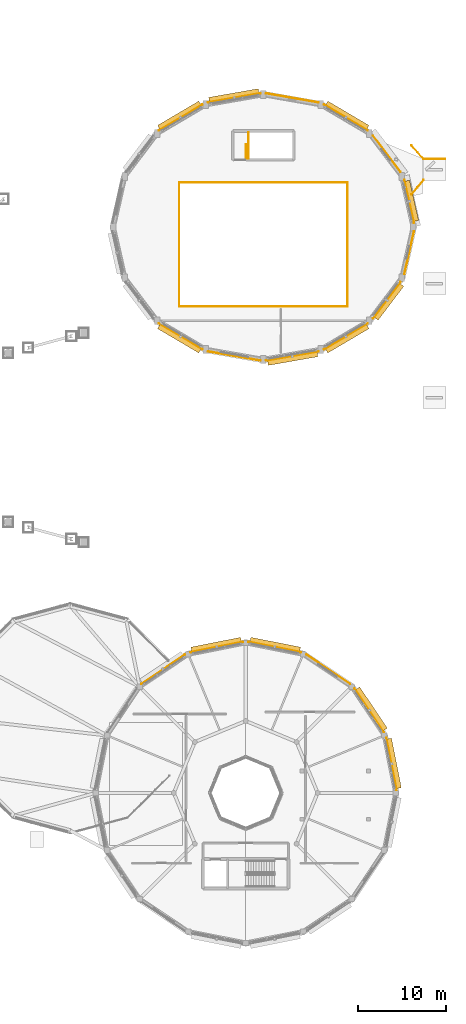
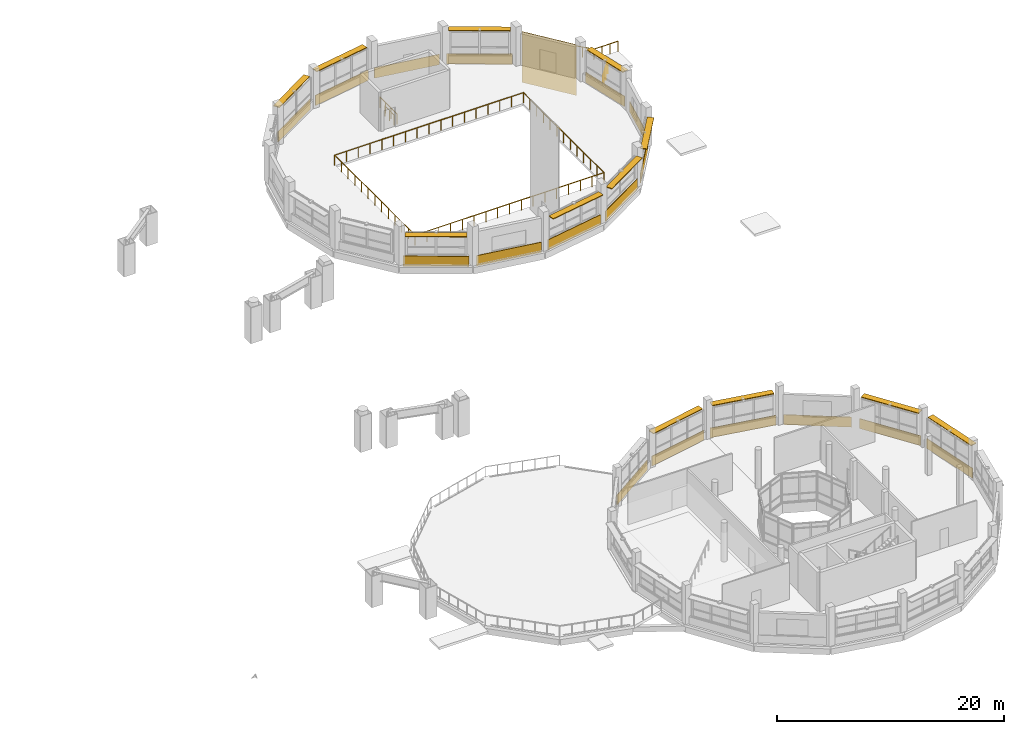
# One storey, part 128 of 128: 18 coverings, 12 shading devices, 8 railings.
"""IFC4 building model written with IfcOpenShell, lengths in metres."""

from ifc_helpers import new_model, si_unit, direction, frame, frame_2d, origin, origin_2d, place, context, subcontext, project, spatial, rectangle, circle, extrude, material, layer, layer_set, type_object, element, save


model = new_model("IFC4")

# Units and contexts
model_context = context("Model", 3, precision=1e-05, world=origin(), true_north=direction((0.0, 1.0)))
body_context = subcontext(model_context, "Body", "Model", "MODEL_VIEW")
ifc_project = project(units=[si_unit("LENGTHUNIT", "METRE"), si_unit("AREAUNIT", "SQUARE_METRE"), si_unit("VOLUMEUNIT", "CUBIC_METRE"), si_unit("PLANEANGLEUNIT", "RADIAN"), si_unit("MASSUNIT", "GRAM", prefix="KILO")], contexts=[model_context])

# Site, building, storey
site_placement = place(None, origin())
site = spatial("IfcSite", under=ifc_project, at=site_placement, CompositionType="ELEMENT")
building_placement = place(site_placement, origin())
building = spatial("IfcBuilding", under=site, at=building_placement, Name="Vespera Passage Community Centre", CompositionType="ELEMENT")
storey_placement = place(building_placement, frame((0.0, 0.0, 4.5)))
storey = spatial("IfcBuildingStorey", under=building, at=storey_placement, Name="L01", CompositionType="ELEMENT", Elevation=4.5)

# Coverings
ifc_material_1 = material(Name="Precast concrete f'c 40 MPa", Category="concrete")
ifc_layer = layer(ifc_material_1, 0.06005859375)
ifc_layer_set = layer_set([ifc_layer], Name="Precast concrete f'c 40 MPa")
covering_type = type_object("IfcCoveringType", Name="COV-CLAD-60E", PredefinedType="CLADDING", material=ifc_layer_set)
covering_1_placement = place(storey_placement, frame((159.07958984375, 94.894775390625, -0.260009765625), z_axis=(0.0, 0.0, 1.0), x_axis=(0.219734171438, -0.975559784894, 0.0)))
element("IfcCovering", 1, at=covering_1_placement, inside=storey, type_object=covering_type, Name="V2 L01 White Spandrel Band 1", PredefinedType="CLADDING", context=body_context, shape_type="SweptSolid", body=[
    extrude(rectangle(XDim=5.051025390625, YDim=0.06005859375, at=frame_2d((2.525390625, 0.0))), origin(), (0.0, 0.0, 1.0), 1.110107421875),
])
covering_2_placement = place(storey_placement, frame((155.52783203125, 99.915283203125, -2.050048828125), z_axis=(0.0, 0.0, 1.0), x_axis=(0.603398282319, -0.797439974477, 0.0)))
element("IfcCovering", 2, at=covering_2_placement, inside=storey, type_object=covering_type, Name="V2 L01 Bridge Portal White Band", PredefinedType="CLADDING", context=body_context, shape_type="SweptSolid", body=[
    extrude(rectangle(XDim=5.19873046875, YDim=0.06005859375, at=frame_2d((2.599365234375, 0.0))), origin(), (0.0, 0.0, 1.0), 5.43505859375),
])
covering_3_placement = place(storey_placement, frame((149.9189453125, 103.449951171875, -0.260009765625), z_axis=(0.0, 0.0, 1.0), x_axis=(0.861246761334, -0.508186989297, 0.0)))
element("IfcCovering", 3, at=covering_3_placement, inside=storey, type_object=covering_type, Name="V2 L01 White Spandrel Band 3", PredefinedType="CLADDING", context=body_context, shape_type="SweptSolid", body=[
    extrude(rectangle(XDim=5.794677734375, YDim=0.06005859375, at=frame_2d((2.8974609375, 0.0))), origin(), (0.0, 0.0, 1.0), 1.110107421875),
])
for number, where, z_axis, x_axis, name in (
    (4, (143.308349609375, 104.73876953125, -0.260009765625), (0.0, 0.0, 1.0), (0.984920582468, -0.173007069888, 0.0), "V2 L01 White Sill Band 4"),
    (5, (136.698486328125, 103.68603515625, -0.260009765625), (0.0, 0.0, 1.0), (0.984920582468, 0.173007069888, 0.0), "V2 L01 White Spandrel Band 5"),
):
    element("IfcCovering", number, at=place(storey_placement, frame(where, z_axis=z_axis, x_axis=x_axis)), inside=storey, type_object=covering_type, Name=name, PredefinedType="CLADDING", context=body_context, shape_type="SweptSolid", body=[
        extrude(rectangle(XDim=6.0849609375, YDim=0.06005859375, at=frame_2d((3.04248046875, 0.0))), origin(), (0.0, 0.0, 1.0), 1.110107421875),
    ])
for number, where, z_axis, x_axis, name in (
    (6, (131.09033203125, 100.505126953125, -0.260009765625), (0.0, 0.0, 1.0), (0.861246761334, 0.508186989297, 0.0), "V2 L01 White Spandrel Band 6"),
    (7, (136.0810546875, 75.550048828125, -0.260009765625), (0.0, 0.0, 1.0), (-0.861246761334, 0.508186989297, 0.0), "V2 L01 White Spandrel Band 11"),
):
    element("IfcCovering", number, at=place(storey_placement, frame(where, z_axis=z_axis, x_axis=x_axis)), inside=storey, type_object=covering_type, Name=name, PredefinedType="CLADDING", context=body_context, shape_type="SweptSolid", body=[
        extrude(rectangle(XDim=5.794677734375, YDim=0.06005859375, at=frame_2d((2.8974609375, 0.0))), origin(), (0.0, 0.0, 1.0), 1.110107421875),
    ])
for number, where, z_axis, x_axis, name in (
    (8, (142.691650390625, 74.26123046875, -0.260009765625), (0.0, 0.0, 1.0), (-0.984920582468, 0.173007069888, 0.0), "V2 L01 White Sill Band 12"),
    (9, (149.301513671875, 75.31396484375, -0.260009765625), (0.0, 0.0, 1.0), (-0.984920582468, -0.173007069888, 0.0), "V2 L01 White Spandrel Band 13"),
):
    element("IfcCovering", number, at=place(storey_placement, frame(where, z_axis=z_axis, x_axis=x_axis)), inside=storey, type_object=covering_type, Name=name, PredefinedType="CLADDING", context=body_context, shape_type="SweptSolid", body=[
        extrude(rectangle(XDim=6.0849609375, YDim=0.06005859375, at=frame_2d((3.04248046875, 0.0))), origin(), (0.0, 0.0, 1.0), 1.110107421875),
    ])
covering_4_placement = place(storey_placement, frame((154.90966796875, 78.494873046875, -0.260009765625), z_axis=(0.0, 0.0, 1.0), x_axis=(-0.861246761334, -0.508186989297, 0.0)))
element("IfcCovering", 10, at=covering_4_placement, inside=storey, type_object=covering_type, Name="V2 L01 White Spandrel Band 14", PredefinedType="CLADDING", context=body_context, shape_type="SweptSolid", body=[
    extrude(rectangle(XDim=5.794677734375, YDim=0.06005859375, at=frame_2d((2.8974609375, 0.0))), origin(), (0.0, 0.0, 1.0), 1.110107421875),
])
covering_5_placement = place(storey_placement, frame((158.664794921875, 83.23046875, -0.260009765625), z_axis=(0.0, 0.0, 1.0), x_axis=(-0.603398282319, -0.797439974477, 0.0)))
element("IfcCovering", 11, at=covering_5_placement, inside=storey, type_object=covering_type, Name="V2 L01 White Spandrel Band 15", PredefinedType="CLADDING", context=body_context, shape_type="SweptSolid", body=[
    extrude(rectangle(XDim=5.19873046875, YDim=0.06005859375, at=frame_2d((2.599365234375, 0.0))), origin(), (0.0, 0.0, 1.0), 1.110107421875),
])
covering_6_placement = place(storey_placement, frame((160.189453125, 89.03271484375, -0.260009765625), z_axis=(0.0, 0.0, 1.0), x_axis=(-0.219734171438, -0.975559784894, 0.0)))
element("IfcCovering", 12, at=covering_6_placement, inside=storey, type_object=covering_type, Name="V2 L01 White Sill Band 16", PredefinedType="CLADDING", context=body_context, shape_type="SweptSolid", body=[
    extrude(rectangle(XDim=5.051025390625, YDim=0.06005859375, at=frame_2d((2.525390625, 0.0))), origin(), (0.0, 0.0, 1.0), 1.110107421875),
])
covering_7_placement = place(storey_placement, frame((157.019775390625, 31.301513671875, -0.260009765625), z_axis=(0.0, 0.0, 1.0), x_axis=(0.195101780047, -0.98078300119, 0.0)))
element("IfcCovering", 13, at=covering_7_placement, inside=storey, type_object=covering_type, Name="V3 L01 White Spandrel Band 1", PredefinedType="CLADDING", context=body_context, shape_type="SweptSolid", body=[
    extrude(rectangle(XDim=6.1103515625, YDim=0.06005859375, at=frame_2d((3.05517578125, 0.0))), origin(), (0.0, 0.0, 1.0), 1.06005859375),
])
covering_8_placement = place(storey_placement, frame((153.41943359375, 36.90673828125, -0.260009765625), z_axis=(0.0, 0.0, 1.0), x_axis=(0.555573083966, -0.831467707354, 0.0)))
element("IfcCovering", 14, at=covering_8_placement, inside=storey, type_object=covering_type, Name="V3 L01 White Spandrel Band 2", PredefinedType="CLADDING", context=body_context, shape_type="SweptSolid", body=[
    extrude(rectangle(XDim=6.00048828125, YDim=0.06005859375, at=frame_2d((3.000244140625, 0.0))), origin(), (0.0, 0.0, 1.0), 1.06005859375),
])
covering_9_placement = place(storey_placement, frame((147.91748046875, 40.753173828125, -0.260009765625), z_axis=(0.0, 0.0, 1.0), x_axis=(0.831467707354, -0.555573083966, 0.0)))
element("IfcCovering", 15, at=covering_9_placement, inside=storey, type_object=covering_type, Name="V3 L01 White Sill Band 3", PredefinedType="CLADDING", context=body_context, shape_type="SweptSolid", body=[
    extrude(rectangle(XDim=6.00048828125, YDim=0.06005859375, at=frame_2d((3.000244140625, 0.0))), origin(), (0.0, 0.0, 1.0), 1.080078125),
])
for number, where, z_axis, x_axis, name in (
    (16, (141.30859375, 42.2119140625, -0.260009765625), (0.0, 0.0, 1.0), (0.98078300119, -0.195101780047, 0.0), "V3 L01 White Spandrel Band 4"),
    (17, (134.698486328125, 41.019775390625, -0.260009765625), (0.0, 0.0, 1.0), (0.98078300119, 0.195101780047, 0.0), "V3 L01 White Spandrel Band 5"),
):
    element("IfcCovering", number, at=place(storey_placement, frame(where, z_axis=z_axis, x_axis=x_axis)), inside=storey, type_object=covering_type, Name=name, PredefinedType="CLADDING", context=body_context, shape_type="SweptSolid", body=[
        extrude(rectangle(XDim=6.1103515625, YDim=0.06005859375, at=frame_2d((3.05517578125, 0.0))), origin(), (0.0, 0.0, 1.0), 1.06005859375),
    ])
covering_10_placement = place(storey_placement, frame((129.09326171875, 37.41943359375, -0.260009765625), z_axis=(0.0, 0.0, 1.0), x_axis=(0.831467707354, 0.555573083966, 0.0)))
element("IfcCovering", 18, at=covering_10_placement, inside=storey, type_object=covering_type, Name="V3 L01 White Spandrel Band 6", PredefinedType="CLADDING", context=body_context, shape_type="SweptSolid", body=[
    extrude(rectangle(XDim=6.00048828125, YDim=0.06005859375, at=frame_2d((3.000244140625, 0.0))), origin(), (0.0, 0.0, 1.0), 1.06005859375),
])

# Railings
ifc_material_2 = material(Name="Steel ASTM A500 Grade C", Category="steel")
railing_type_1 = type_object("IfcRailingType", Name="RL-BAL-1100I", PredefinedType="BALUSTRADE", material=ifc_material_2)
railing_1_placement = place(storey_placement, frame((133.419921875, 80.419921875, 0.0)))
element("IfcRailing", 19, at=railing_1_placement, inside=storey, type_object=railing_type_1, Name="Sports Hall L01 S Gallery Balustrade", PredefinedType="BALUSTRADE", context=body_context, shape_type="SweptSolid", body=[
    extrude(circle(Radius=0.02392578125, at=origin_2d()), frame((0.0, 0.0, 1.09619140625), z_axis=(1.0, 0.0, 0.0), x_axis=(0.0, 1.0, 0.0)), (0.0, 0.0, 1.0), 19.16015625),
    extrude(circle(Radius=0.02099609375, at=origin_2d()), origin(), (0.0, 0.0, 1.0), 1.072021484375),
    extrude(circle(Radius=0.02099609375, at=origin_2d()), frame((1.197509765625, 0.0, 0.0)), (0.0, 0.0, 1.0), 1.072021484375),
    extrude(circle(Radius=0.02099609375, at=origin_2d()), frame((2.39501953125, 0.0, 0.0)), (0.0, 0.0, 1.0), 1.072021484375),
    extrude(circle(Radius=0.02099609375, at=origin_2d()), frame((3.592529296875, 0.0, 0.0)), (0.0, 0.0, 1.0), 1.072021484375),
    extrude(circle(Radius=0.02099609375, at=origin_2d()), frame((4.7900390625, 0.0, 0.0)), (0.0, 0.0, 1.0), 1.072021484375),
    extrude(circle(Radius=0.02099609375, at=origin_2d()), frame((5.987548828125, 0.0, 0.0)), (0.0, 0.0, 1.0), 1.072021484375),
    extrude(circle(Radius=0.02099609375, at=origin_2d()), frame((7.18505859375, 0.0, 0.0)), (0.0, 0.0, 1.0), 1.072021484375),
    extrude(circle(Radius=0.02099609375, at=origin_2d()), frame((8.382568359375, 0.0, 0.0)), (0.0, 0.0, 1.0), 1.072021484375),
    extrude(circle(Radius=0.02099609375, at=origin_2d()), frame((9.580078125, 0.0, 0.0)), (0.0, 0.0, 1.0), 1.072021484375),
    extrude(circle(Radius=0.02099609375, at=origin_2d()), frame((10.777587890625, 0.0, 0.0)), (0.0, 0.0, 1.0), 1.072021484375),
    extrude(circle(Radius=0.02099609375, at=origin_2d()), frame((11.97509765625, 0.0, 0.0)), (0.0, 0.0, 1.0), 1.072021484375),
    extrude(circle(Radius=0.02099609375, at=origin_2d()), frame((13.172607421875, 0.0, 0.0)), (0.0, 0.0, 1.0), 1.072021484375),
    extrude(circle(Radius=0.02099609375, at=origin_2d()), frame((14.3701171875, 0.0, 0.0)), (0.0, 0.0, 1.0), 1.072021484375),
    extrude(circle(Radius=0.02099609375, at=origin_2d()), frame((15.567626953125, 0.0, 0.0)), (0.0, 0.0, 1.0), 1.072021484375),
    extrude(circle(Radius=0.02099609375, at=origin_2d()), frame((16.76513671875, 0.0, 0.0)), (0.0, 0.0, 1.0), 1.072021484375),
    extrude(circle(Radius=0.02099609375, at=origin_2d()), frame((17.962646484375, 0.0, 0.0)), (0.0, 0.0, 1.0), 1.072021484375),
    extrude(circle(Radius=0.02099609375, at=origin_2d()), frame((19.16015625, 0.0, 0.0)), (0.0, 0.0, 1.0), 1.072021484375),
])
railing_2_placement = place(storey_placement, frame((152.580078125, 80.419921875, 0.0)))
element("IfcRailing", 20, at=railing_2_placement, inside=storey, type_object=railing_type_1, Name="Sports Hall L01 E Gallery Balustrade", PredefinedType="BALUSTRADE", context=body_context, shape_type="SweptSolid", body=[
    extrude(circle(Radius=0.02392578125, at=origin_2d()), frame((0.0, 0.0, 1.09619140625), z_axis=(0.0, 1.0, 0.0), x_axis=(-1.0, 0.0, 0.0)), (0.0, 0.0, 1.0), 14.16015625),
    extrude(circle(Radius=0.02099609375, at=origin_2d()), origin(), (0.0, 0.0, 1.0), 1.072021484375),
    extrude(circle(Radius=0.02099609375, at=origin_2d()), frame((0.0, 1.179931640625, 0.0)), (0.0, 0.0, 1.0), 1.072021484375),
    extrude(circle(Radius=0.02099609375, at=origin_2d()), frame((0.0, 2.360107421875, 0.0)), (0.0, 0.0, 1.0), 1.072021484375),
    extrude(circle(Radius=0.02099609375, at=origin_2d()), frame((0.0, 3.5400390625, 0.0)), (0.0, 0.0, 1.0), 1.072021484375),
    extrude(circle(Radius=0.02099609375, at=origin_2d()), frame((0.0, 4.719970703125, 0.0)), (0.0, 0.0, 1.0), 1.072021484375),
    extrude(circle(Radius=0.02099609375, at=origin_2d()), frame((0.0, 5.900146484375, 0.0)), (0.0, 0.0, 1.0), 1.072021484375),
    extrude(circle(Radius=0.02099609375, at=origin_2d()), frame((0.0, 7.080078125, 0.0)), (0.0, 0.0, 1.0), 1.072021484375),
    extrude(circle(Radius=0.02099609375, at=origin_2d()), frame((0.0, 8.260009765625, 0.0)), (0.0, 0.0, 1.0), 1.072021484375),
    extrude(circle(Radius=0.02099609375, at=origin_2d()), frame((0.0, 9.440185546875, 0.0)), (0.0, 0.0, 1.0), 1.072021484375),
    extrude(circle(Radius=0.02099609375, at=origin_2d()), frame((0.0, 10.6201171875, 0.0)), (0.0, 0.0, 1.0), 1.072021484375),
    extrude(circle(Radius=0.02099609375, at=origin_2d()), frame((0.0, 11.800048828125, 0.0)), (0.0, 0.0, 1.0), 1.072021484375),
    extrude(circle(Radius=0.02099609375, at=origin_2d()), frame((0.0, 12.980224609375, 0.0)), (0.0, 0.0, 1.0), 1.072021484375),
    extrude(circle(Radius=0.02099609375, at=origin_2d()), frame((0.0, 14.16015625, 0.0)), (0.0, 0.0, 1.0), 1.072021484375),
])
railing_3_placement = place(storey_placement, frame((152.580078125, 94.580078125, 0.0)))
element("IfcRailing", 21, at=railing_3_placement, inside=storey, type_object=railing_type_1, Name="Sports Hall L01 N Gallery Balustrade", PredefinedType="BALUSTRADE", context=body_context, shape_type="SweptSolid", body=[
    extrude(circle(Radius=0.02392578125, at=origin_2d()), frame((0.0, 0.0, 1.09619140625), z_axis=(-1.0, 0.0, 0.0), x_axis=(0.0, -1.0, 0.0)), (0.0, 0.0, 1.0), 19.16015625),
    extrude(circle(Radius=0.02099609375, at=origin_2d()), origin(), (0.0, 0.0, 1.0), 1.072021484375),
    extrude(circle(Radius=0.02099609375, at=origin_2d()), frame((-1.197509765625, 0.0, 0.0)), (0.0, 0.0, 1.0), 1.072021484375),
    extrude(circle(Radius=0.02099609375, at=origin_2d()), frame((-2.39501953125, 0.0, 0.0)), (0.0, 0.0, 1.0), 1.072021484375),
    extrude(circle(Radius=0.02099609375, at=origin_2d()), frame((-3.592529296875, 0.0, 0.0)), (0.0, 0.0, 1.0), 1.072021484375),
    extrude(circle(Radius=0.02099609375, at=origin_2d()), frame((-4.7900390625, 0.0, 0.0)), (0.0, 0.0, 1.0), 1.072021484375),
    extrude(circle(Radius=0.02099609375, at=origin_2d()), frame((-5.987548828125, 0.0, 0.0)), (0.0, 0.0, 1.0), 1.072021484375),
    extrude(circle(Radius=0.02099609375, at=origin_2d()), frame((-7.18505859375, 0.0, 0.0)), (0.0, 0.0, 1.0), 1.072021484375),
    extrude(circle(Radius=0.02099609375, at=origin_2d()), frame((-8.382568359375, 0.0, 0.0)), (0.0, 0.0, 1.0), 1.072021484375),
    extrude(circle(Radius=0.02099609375, at=origin_2d()), frame((-9.580078125, 0.0, 0.0)), (0.0, 0.0, 1.0), 1.072021484375),
    extrude(circle(Radius=0.02099609375, at=origin_2d()), frame((-10.777587890625, 0.0, 0.0)), (0.0, 0.0, 1.0), 1.072021484375),
    extrude(circle(Radius=0.02099609375, at=origin_2d()), frame((-11.97509765625, 0.0, 0.0)), (0.0, 0.0, 1.0), 1.072021484375),
    extrude(circle(Radius=0.02099609375, at=origin_2d()), frame((-13.172607421875, 0.0, 0.0)), (0.0, 0.0, 1.0), 1.072021484375),
    extrude(circle(Radius=0.02099609375, at=origin_2d()), frame((-14.3701171875, 0.0, 0.0)), (0.0, 0.0, 1.0), 1.072021484375),
    extrude(circle(Radius=0.02099609375, at=origin_2d()), frame((-15.567626953125, 0.0, 0.0)), (0.0, 0.0, 1.0), 1.072021484375),
    extrude(circle(Radius=0.02099609375, at=origin_2d()), frame((-16.76513671875, 0.0, 0.0)), (0.0, 0.0, 1.0), 1.072021484375),
    extrude(circle(Radius=0.02099609375, at=origin_2d()), frame((-17.962646484375, 0.0, 0.0)), (0.0, 0.0, 1.0), 1.072021484375),
    extrude(circle(Radius=0.02099609375, at=origin_2d()), frame((-19.16015625, 0.0, 0.0)), (0.0, 0.0, 1.0), 1.072021484375),
])
railing_4_placement = place(storey_placement, frame((133.419921875, 94.580078125, 0.0)))
element("IfcRailing", 22, at=railing_4_placement, inside=storey, type_object=railing_type_1, Name="Sports Hall L01 W Gallery Balustrade", PredefinedType="BALUSTRADE", context=body_context, shape_type="SweptSolid", body=[
    extrude(circle(Radius=0.02392578125, at=origin_2d()), frame((0.0, 0.0, 1.09619140625), z_axis=(0.0, -1.0, 0.0), x_axis=(1.0, 0.0, 0.0)), (0.0, 0.0, 1.0), 14.16015625),
    extrude(circle(Radius=0.02099609375, at=origin_2d()), origin(), (0.0, 0.0, 1.0), 1.072021484375),
    extrude(circle(Radius=0.02099609375, at=origin_2d()), frame((0.0, -1.179931640625, 0.0)), (0.0, 0.0, 1.0), 1.072021484375),
    extrude(circle(Radius=0.02099609375, at=origin_2d()), frame((0.0, -2.360107421875, 0.0)), (0.0, 0.0, 1.0), 1.072021484375),
    extrude(circle(Radius=0.02099609375, at=origin_2d()), frame((0.0, -3.5400390625, 0.0)), (0.0, 0.0, 1.0), 1.072021484375),
    extrude(circle(Radius=0.02099609375, at=origin_2d()), frame((0.0, -4.719970703125, 0.0)), (0.0, 0.0, 1.0), 1.072021484375),
    extrude(circle(Radius=0.02099609375, at=origin_2d()), frame((0.0, -5.900146484375, 0.0)), (0.0, 0.0, 1.0), 1.072021484375),
    extrude(circle(Radius=0.02099609375, at=origin_2d()), frame((0.0, -7.080078125, 0.0)), (0.0, 0.0, 1.0), 1.072021484375),
    extrude(circle(Radius=0.02099609375, at=origin_2d()), frame((0.0, -8.260009765625, 0.0)), (0.0, 0.0, 1.0), 1.072021484375),
    extrude(circle(Radius=0.02099609375, at=origin_2d()), frame((0.0, -9.440185546875, 0.0)), (0.0, 0.0, 1.0), 1.072021484375),
    extrude(circle(Radius=0.02099609375, at=origin_2d()), frame((0.0, -10.6201171875, 0.0)), (0.0, 0.0, 1.0), 1.072021484375),
    extrude(circle(Radius=0.02099609375, at=origin_2d()), frame((0.0, -11.800048828125, 0.0)), (0.0, 0.0, 1.0), 1.072021484375),
    extrude(circle(Radius=0.02099609375, at=origin_2d()), frame((0.0, -12.980224609375, 0.0)), (0.0, 0.0, 1.0), 1.072021484375),
    extrude(circle(Radius=0.02099609375, at=origin_2d()), frame((0.0, -14.16015625, 0.0)), (0.0, 0.0, 1.0), 1.072021484375),
])
ifc_material_3 = material(Name="Steel ASTM A500 Grade C", Category="steel")
railing_type_2 = type_object("IfcRailingType", Name="RL-EXT-1100E", PredefinedType="GUARDRAIL", material=ifc_material_3)
railing_5_placement = place(storey_placement, frame((159.89990234375, 98.800048828125, 0.0)))
element("IfcRailing", 23, at=railing_5_placement, inside=storey, type_object=railing_type_2, Name="Ramped Garden Bridge North Link Guard", PredefinedType="GUARDRAIL", context=body_context, shape_type="SweptSolid", body=[
    extrude(circle(Radius=0.02392578125, at=origin_2d()), frame((0.0, 0.0, 1.09619140625), z_axis=(0.664984229828, -0.746857398758, 0.0), x_axis=(0.746857398758, 0.664984229828, 0.0)), (0.0, 0.0, 1.0), 2.075439453125),
    extrude(circle(Radius=0.02392578125, at=origin_2d()), frame((1.380126953125, -1.550048828125, 1.09619140625), z_axis=(1.0, 0.0, 0.0), x_axis=(0.0, 1.0, 0.0)), (0.0, 0.0, 1.0), 2.43994140625),
    extrude(circle(Radius=0.02099609375, at=origin_2d()), origin(), (0.0, 0.0, 1.0), 1.072021484375),
    extrude(circle(Radius=0.02099609375, at=origin_2d()), frame((0.68994140625, -0.77490234375, 0.0)), (0.0, 0.0, 1.0), 1.072021484375),
    extrude(circle(Radius=0.02099609375, at=origin_2d()), frame((1.380126953125, -1.550048828125, 0.0)), (0.0, 0.0, 1.0), 1.072021484375),
    extrude(circle(Radius=0.02099609375, at=origin_2d()), frame((2.193359375, -1.550048828125, 0.0)), (0.0, 0.0, 1.0), 1.072021484375),
    extrude(circle(Radius=0.02099609375, at=origin_2d()), frame((3.0068359375, -1.550048828125, 0.0)), (0.0, 0.0, 1.0), 1.072021484375),
    extrude(circle(Radius=0.02099609375, at=origin_2d()), frame((3.820068359375, -1.550048828125, 0.0)), (0.0, 0.0, 1.0), 1.072021484375),
])
railing_6_placement = place(storey_placement, frame((159.89990234375, 93.199951171875, 0.0)))
element("IfcRailing", 24, at=railing_6_placement, inside=storey, type_object=railing_type_2, Name="Ramped Garden Bridge South Link Guard", PredefinedType="GUARDRAIL", context=body_context, shape_type="SweptSolid", body=[
    extrude(circle(Radius=0.02392578125, at=origin_2d()), frame((0.0, 0.0, 1.09619140625), z_axis=(0.641556414636, 0.767075854684, 0.0), x_axis=(-0.767075854684, 0.641556414636, 0.0)), (0.0, 0.0, 1.0), 2.151123046875),
    extrude(circle(Radius=0.02099609375, at=origin_2d()), origin(), (0.0, 0.0, 1.0), 1.072021484375),
    extrude(circle(Radius=0.02099609375, at=origin_2d()), frame((0.68994140625, 0.8251953125, 0.0)), (0.0, 0.0, 1.0), 1.072021484375),
    extrude(circle(Radius=0.02099609375, at=origin_2d()), frame((1.380126953125, 1.650146484375, 0.0)), (0.0, 0.0, 1.0), 1.072021484375),
])
ifc_material_4 = material(Name="Steel ASTM A500 Grade C", Category="steel")
railing_type_3 = type_object("IfcRailingType", Name="RL-STAIR-1100I", PredefinedType="GUARDRAIL", material=ifc_material_4)
railing_7_placement = place(storey_placement, frame((141.02490234375, 97.300048828125, 0.0)))
element("IfcRailing", 25, at=railing_7_placement, inside=storey, type_object=railing_type_3, Name="L01 ST07 top well guard 1", PredefinedType="GUARDRAIL", context=body_context, shape_type="SweptSolid", body=[
    extrude(circle(Radius=0.02392578125, at=origin_2d()), frame((0.0, 0.0, 1.09619140625), z_axis=(0.0, 1.0, 0.0), x_axis=(-1.0, 0.0, 0.0)), (0.0, 0.0, 1.0), 1.599853515625),
    extrude(circle(Radius=0.02099609375, at=origin_2d()), origin(), (0.0, 0.0, 1.0), 1.072021484375),
    extrude(circle(Radius=0.02099609375, at=origin_2d()), frame((0.0, 0.7998046875, 0.0)), (0.0, 0.0, 1.0), 1.072021484375),
    extrude(circle(Radius=0.02099609375, at=origin_2d()), frame((0.0, 1.599853515625, 0.0)), (0.0, 0.0, 1.0), 1.072021484375),
])
railing_8_placement = place(storey_placement, frame((141.31494140625, 97.320068359375, 0.0)))
element("IfcRailing", 26, at=railing_8_placement, inside=storey, type_object=railing_type_3, Name="Core C6 L01 Stair Well Guard", PredefinedType="GUARDRAIL", context=body_context, shape_type="SweptSolid", body=[
    extrude(circle(Radius=0.02392578125, at=origin_2d()), frame((0.0, 0.0, 1.09619140625), z_axis=(0.0, 1.0, 0.0), x_axis=(-1.0, 0.0, 0.0)), (0.0, 0.0, 1.0), 2.9599609375),
    extrude(circle(Radius=0.02099609375, at=origin_2d()), origin(), (0.0, 0.0, 1.0), 1.072021484375),
    extrude(circle(Radius=0.02099609375, at=origin_2d()), frame((0.0, 0.986572265625, 0.0)), (0.0, 0.0, 1.0), 1.072021484375),
    extrude(circle(Radius=0.02099609375, at=origin_2d()), frame((0.0, 1.973388671875, 0.0)), (0.0, 0.0, 1.0), 1.072021484375),
    extrude(circle(Radius=0.02099609375, at=origin_2d()), frame((0.0, 2.9599609375, 0.0)), (0.0, 0.0, 1.0), 1.072021484375),
])

# Shading devices
ifc_material_5 = material(Name="Anodized aluminium 6063-T6", Category="aluminium")
shading_device_type = type_object("IfcShadingDeviceType", Name="SHD-EYEBROW", PredefinedType="JALOUSIE", material=ifc_material_5)
shading_device_1_placement = place(storey_placement, frame((159.89794921875, 92.490234375, 3.27490234375), z_axis=(0.0, 0.0, 1.0), x_axis=(0.219744045409, -0.975557560838, 0.0)))
element("IfcShadingDevice", 27, at=shading_device_1_placement, inside=storey, type_object=shading_device_type, Name="V2 L01 Solar Eyebrow 1", PredefinedType="JALOUSIE", context=body_context, shape_type="SweptSolid", body=[
    extrude(rectangle(XDim=4.70068359375, YDim=0.60009765625, at=origin_2d()), origin(), (0.0, 0.0, 1.0), 0.080078125),
])
shading_device_2_placement = place(storey_placement, frame((152.551513671875, 102.210205078125, 3.27490234375), z_axis=(0.0, 0.0, 1.0), x_axis=(0.861248014559, -0.508184865396, 0.0)))
element("IfcShadingDevice", 28, at=shading_device_2_placement, inside=storey, type_object=shading_device_type, Name="V2 L01 Solar Eyebrow 3", PredefinedType="JALOUSIE", context=body_context, shape_type="SweptSolid", body=[
    extrude(rectangle(XDim=5.444580078125, YDim=0.60009765625, at=origin_2d()), origin(), (0.0, 0.0, 1.0), 0.080078125),
])
shading_device_3_placement = place(storey_placement, frame((139.6484375, 104.478515625, 3.27490234375), z_axis=(0.0, 0.0, 1.0), x_axis=(0.984922704244, 0.172994990288, 0.0)))
element("IfcShadingDevice", 29, at=shading_device_3_placement, inside=storey, type_object=shading_device_type, Name="V2 L01 Solar Eyebrow 5", PredefinedType="JALOUSIE", context=body_context, shape_type="SweptSolid", body=[
    extrude(rectangle(XDim=5.73486328125, YDim=0.60009765625, at=origin_2d()), origin(), (0.0, 0.0, 1.0), 0.080078125),
])
for number, where, z_axis, x_axis, name in (
    (30, (133.448486328125, 102.210205078125, 3.27490234375), (0.0, 0.0, 1.0), (0.861248014559, 0.508184865396, 0.0), "V2 L01 Solar Eyebrow 6"),
    (31, (133.448486328125, 76.789794921875, 3.27490234375), (0.0, 0.0, 1.0), (-0.861248014559, 0.508184865396, 0.0), "V2 L01 Solar Eyebrow 11"),
):
    element("IfcShadingDevice", number, at=place(storey_placement, frame(where, z_axis=z_axis, x_axis=x_axis)), inside=storey, type_object=shading_device_type, Name=name, PredefinedType="JALOUSIE", context=body_context, shape_type="SweptSolid", body=[
        extrude(rectangle(XDim=5.444580078125, YDim=0.60009765625, at=origin_2d()), origin(), (0.0, 0.0, 1.0), 0.080078125),
    ])
shading_device_4_placement = place(storey_placement, frame((146.3515625, 74.521484375, 3.27490234375), z_axis=(0.0, 0.0, 1.0), x_axis=(-0.984922704244, -0.172994990288, 0.0)))
element("IfcShadingDevice", 32, at=shading_device_4_placement, inside=storey, type_object=shading_device_type, Name="V2 L01 Solar Eyebrow 13", PredefinedType="JALOUSIE", context=body_context, shape_type="SweptSolid", body=[
    extrude(rectangle(XDim=5.73486328125, YDim=0.60009765625, at=origin_2d()), origin(), (0.0, 0.0, 1.0), 0.080078125),
])
shading_device_5_placement = place(storey_placement, frame((152.551513671875, 76.789794921875, 3.27490234375), z_axis=(0.0, 0.0, 1.0), x_axis=(-0.861248014559, -0.508184865396, 0.0)))
element("IfcShadingDevice", 33, at=shading_device_5_placement, inside=storey, type_object=shading_device_type, Name="V2 L01 Solar Eyebrow 14", PredefinedType="JALOUSIE", context=body_context, shape_type="SweptSolid", body=[
    extrude(rectangle(XDim=5.444580078125, YDim=0.60009765625, at=origin_2d()), origin(), (0.0, 0.0, 1.0), 0.080078125),
])
shading_device_6_placement = place(storey_placement, frame((157.311767578125, 80.994384765625, 3.27490234375), z_axis=(0.0, 0.0, 1.0), x_axis=(-0.603402856255, -0.7974365135, 0.0)))
element("IfcShadingDevice", 34, at=shading_device_6_placement, inside=storey, type_object=shading_device_type, Name="V2 L01 Solar Eyebrow 15", PredefinedType="JALOUSIE", context=body_context, shape_type="SweptSolid", body=[
    extrude(rectangle(XDim=4.848876953125, YDim=0.60009765625, at=origin_2d()), origin(), (0.0, 0.0, 1.0), 0.080078125),
])
shading_device_7_placement = place(storey_placement, frame((157.880615234375, 28.35791015625, 3.10498046875), z_axis=(0.0, 0.0, 1.0), x_axis=(0.195090322016, -0.980785280403, 0.0)))
element("IfcShadingDevice", 35, at=shading_device_7_placement, inside=storey, type_object=shading_device_type, Name="V3 L01 Solar Eyebrow 1", PredefinedType="JALOUSIE", context=body_context, shape_type="SweptSolid", body=[
    extrude(rectangle(XDim=5.76025390625, YDim=0.60009765625, at=origin_2d()), origin(), (0.0, 0.0, 1.0), 0.080078125),
])
shading_device_8_placement = place(storey_placement, frame((155.310791015625, 34.56201171875, 3.10498046875), z_axis=(0.0, 0.0, 1.0), x_axis=(0.555555721053, -0.831479308706, 0.0)))
element("IfcShadingDevice", 36, at=shading_device_8_placement, inside=storey, type_object=shading_device_type, Name="V3 L01 Solar Eyebrow 2", PredefinedType="JALOUSIE", context=body_context, shape_type="SweptSolid", body=[
    extrude(rectangle(XDim=5.650390625, YDim=0.60009765625, at=origin_2d()), origin(), (0.0, 0.0, 1.0), 0.080078125),
])
for number, where, z_axis, x_axis, name in (
    (37, (144.35791015625, 41.880615234375, 3.10498046875), (0.0, 0.0, 1.0), (0.980785280403, -0.195090322016, 0.0), "V3 L01 Solar Eyebrow 4"),
    (38, (137.64208984375, 41.880615234375, 3.10498046875), (0.0, 0.0, 1.0), (0.980785280403, 0.195090322016, 0.0), "V3 L01 Solar Eyebrow 5"),
):
    element("IfcShadingDevice", number, at=place(storey_placement, frame(where, z_axis=z_axis, x_axis=x_axis)), inside=storey, type_object=shading_device_type, Name=name, PredefinedType="JALOUSIE", context=body_context, shape_type="SweptSolid", body=[
        extrude(rectangle(XDim=5.76025390625, YDim=0.60009765625, at=origin_2d()), origin(), (0.0, 0.0, 1.0), 0.080078125),
    ])

save(model, "model.ifc")
